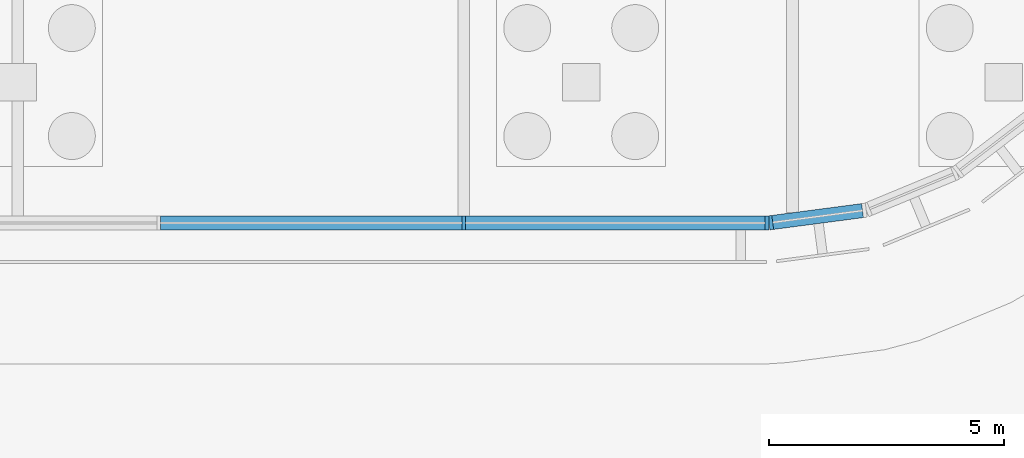
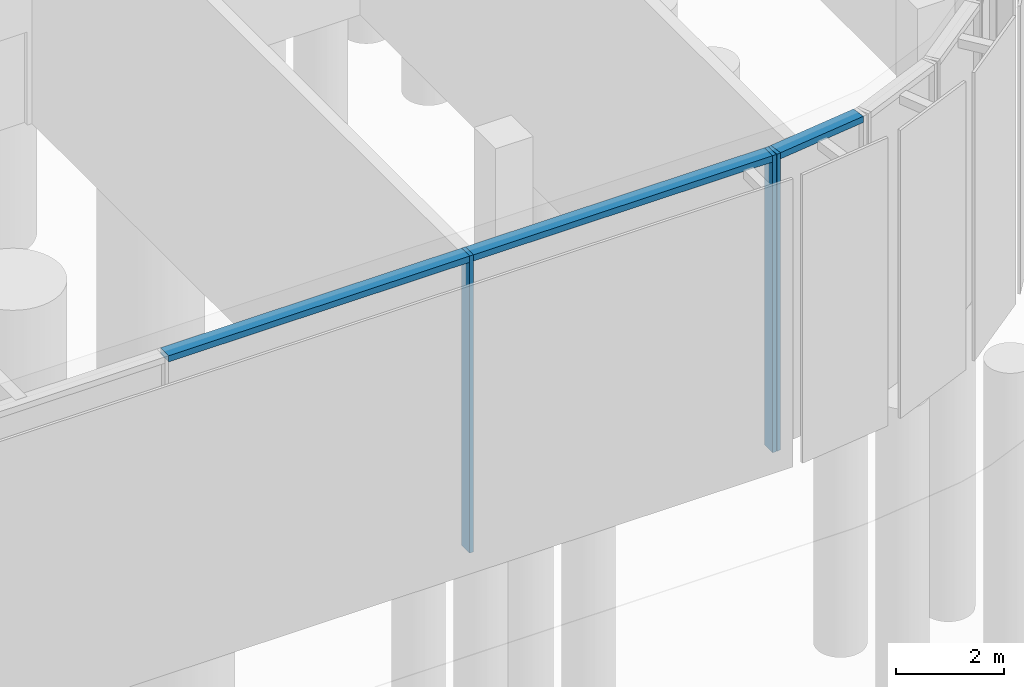
# One storey, part 8 of 48: 6 members, 2 elements without a shape of their own.
"""IFC4 building model written with IfcOpenShell, lengths in metres."""

from ifc_helpers import new_model, si_unit, direction, frame, origin, origin_2d, place, context, subcontext, project, spatial, rectangle, extrude, material, material_profile, profile_set, type_object, element, aggregate, save


model = new_model("IFC4")

# Units and contexts
model_context = context("Model", 3, precision=1e-05, world=origin(), true_north=direction((0.0, 1.0)))
body_context = subcontext(model_context, "Body", "Model", "MODEL_VIEW")
ifc_project = project(units=[si_unit("LENGTHUNIT", "METRE"), si_unit("AREAUNIT", "SQUARE_METRE"), si_unit("VOLUMEUNIT", "CUBIC_METRE"), si_unit("PLANEANGLEUNIT", "RADIAN"), si_unit("MASSUNIT", "GRAM", prefix="KILO")], contexts=[model_context])

# Site, building, storey
site_placement = place(None, origin())
site = spatial("IfcSite", under=ifc_project, at=site_placement, CompositionType="ELEMENT")
building_placement = place(site_placement, origin())
building = spatial("IfcBuilding", under=site, at=building_placement, Name="Mahtab Terrace Research Tower", CompositionType="ELEMENT")
storey_placement = place(building_placement, origin())
storey = spatial("IfcBuildingStorey", under=building, at=storey_placement, Name="G", CompositionType="ELEMENT", Elevation=0.0)

# Curtain wall, members
ifc_material_1 = material(Name="Ground lobby curtain wall")
curtain_wall_type = type_object("IfcCurtainWallType", Name="Ground lobby curtain wall", PredefinedType="NOTDEFINED", material=ifc_material_1)
curtain_wall_1_placement = place(storey_placement, origin())
curtain_wall_1 = element("IfcCurtainWall", 1, at=curtain_wall_1_placement, inside=storey, type_object=curtain_wall_type, Name="EN.G.19.10", PredefinedType="NOTDEFINED")
ifc_material_2 = material(Name="Natural anodised aluminium", Category="aluminium")
ifc_material_profile_1 = material_profile(ifc_material_2, rectangle(XDim=0.300048828125, YDim=0.080078125, at=origin_2d()), Name="MULLION 80x300")
ifc_profile_set_1 = profile_set([ifc_material_profile_1], Name="Natural anodised aluminium")
member_type_1 = type_object("IfcMemberType", Name="Ground lobby curtain wall mullion", PredefinedType="MULLION", material=ifc_profile_set_1)
member_1_placement = place(storey_placement, frame((45.5, -36.0, 0.0), z_axis=(0.0, 0.0, 1.0), x_axis=(0.0, 1.0, 0.0)))
member_1 = element("IfcMember", 2, at=member_1_placement, type_object=member_type_1, Name="CWG-1 mullion 4", PredefinedType="MULLION", context=body_context, shape_type="SweptSolid", body=[
    extrude(rectangle(XDim=0.300048828125, YDim=0.080078125, at=origin_2d()), origin(), (0.0, 0.0, 1.0), 6.699951171875),
])
member_2_placement = place(storey_placement, frame((51.9599609375, -36.0, 0.0), z_axis=(0.0, 0.0, 1.0), x_axis=(0.0, 1.0, 0.0)))
member_2 = element("IfcMember", 3, at=member_2_placement, type_object=member_type_1, Name="CWG-1 mullion 5", PredefinedType="MULLION", context=body_context, shape_type="SweptSolid", body=[
    extrude(rectangle(XDim=0.300048828125, YDim=0.080078125, at=origin_2d()), origin(), (0.0, 0.0, 1.0), 6.699951171875),
])

# Curtain wall, member
curtain_wall_2_placement = place(storey_placement, origin())
curtain_wall_2 = element("IfcCurtainWall", 4, at=curtain_wall_2_placement, inside=storey, type_object=curtain_wall_type, Name="EN.G.20.0", PredefinedType="NOTDEFINED")
member_3_placement = place(storey_placement, frame((52.03955078125, -35.994873046875, 0.0), z_axis=(0.0, 0.0, 1.0), x_axis=(-0.130689793992, 0.991423309059, 0.0)))
member_3 = element("IfcMember", 5, at=member_3_placement, type_object=member_type_1, Name="CWG-1 mullion 1", PredefinedType="MULLION", context=body_context, shape_type="SweptSolid", body=[
    extrude(rectangle(XDim=0.300048828125, YDim=0.080078125, at=origin_2d()), origin(), (0.0, 0.0, 1.0), 6.699951171875),
])

# Member
ifc_material_profile_2 = material_profile(ifc_material_2, rectangle(XDim=0.300048828125, YDim=0.139892578125, at=origin_2d()), Name="TRANSOM 140x300")
ifc_profile_set_2 = profile_set([ifc_material_profile_2], Name="Natural anodised aluminium")
member_type_2 = type_object("IfcMemberType", Name="Ground lobby curtain wall transom", PredefinedType="USERDEFINED", material=ifc_profile_set_2)
member_4_placement = place(storey_placement, frame((39.0400390625, -36.0, 6.6298828125), z_axis=(1.0, 0.0, 0.0), x_axis=(0.0, 1.0, 0.0)))
member_4 = element("IfcMember", 6, at=member_4_placement, type_object=member_type_2, Name="CWG-1 transom 3", ObjectType="TRANSOM", PredefinedType="USERDEFINED", context=body_context, shape_type="SweptSolid", body=[
    extrude(rectangle(XDim=0.300048828125, YDim=0.139892578125, at=origin_2d()), origin(), (0.0, 0.0, 1.0), 6.419921875),
])

member_5_placement = place(storey_placement, frame((45.5400390625, -36.0, 6.6298828125), z_axis=(1.0, 0.0, 0.0), x_axis=(0.0, 1.0, 0.0)))
member_5 = element("IfcMember", 7, at=member_5_placement, type_object=member_type_2, Name="CWG-1 transom 4", ObjectType="TRANSOM", PredefinedType="USERDEFINED", context=body_context, shape_type="SweptSolid", body=[
    extrude(rectangle(XDim=0.300048828125, YDim=0.139892578125, at=origin_2d()), origin(), (0.0, 0.0, 1.0), 6.3798828125),
])

aggregate(curtain_wall_1, [member_1, member_2, member_4, member_5])

member_6_placement = place(storey_placement, frame((52.079345703125, -35.989501953125, 6.6298828125), z_axis=(0.991432310304, 0.130621491668, 0.0), x_axis=(-0.130621491668, 0.991432310304, 0.0)))
member_6 = element("IfcMember", 8, at=member_6_placement, type_object=member_type_2, Name="CWG-1 transom 1", ObjectType="TRANSOM", PredefinedType="USERDEFINED", context=body_context, shape_type="SweptSolid", body=[
    extrude(rectangle(XDim=0.300048828125, YDim=0.139892578125, at=origin_2d()), origin(), (0.0, 0.0, 1.0), 1.928955078125),
])

aggregate(curtain_wall_2, [member_3, member_6])

save(model, "model.ifc")
